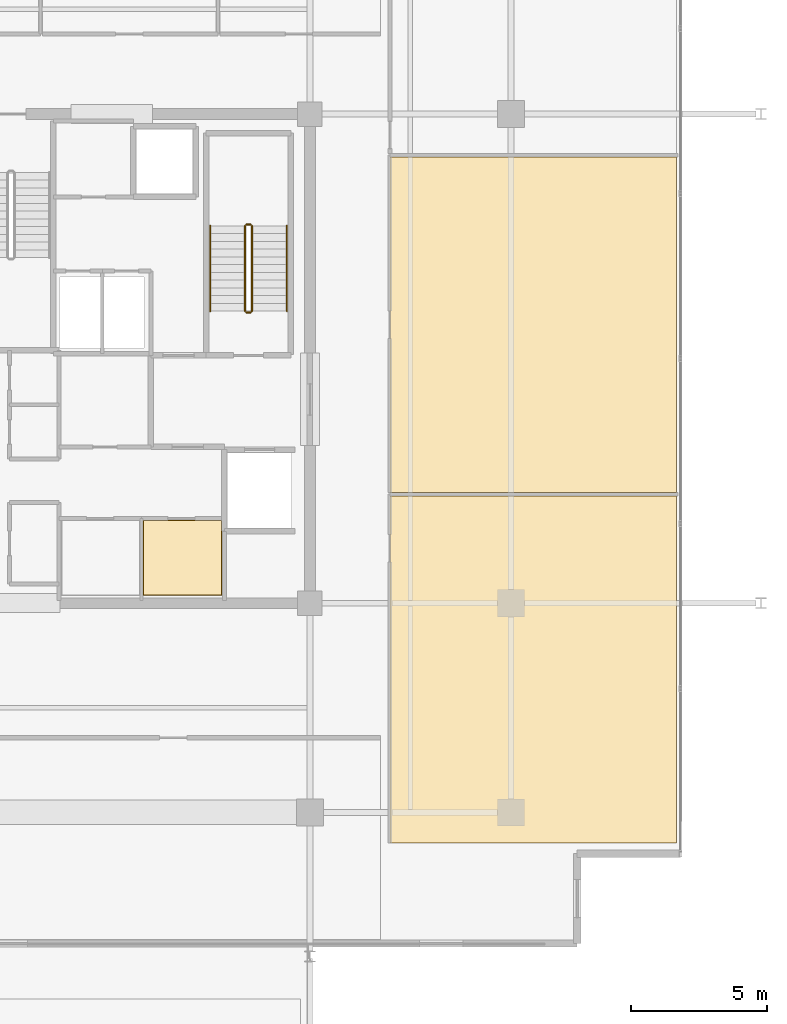
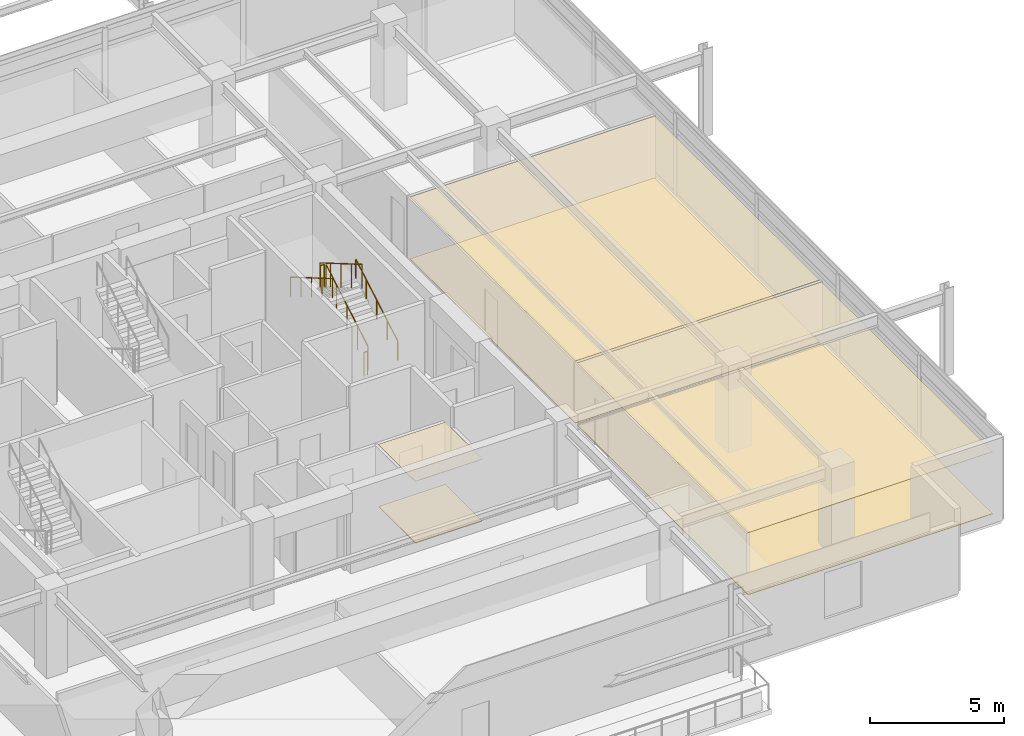
# One storey, part 20 of 21: 6 coverings, 6 railings.
"""IFC4 building model written with IfcOpenShell, lengths in metres."""

from ifc_helpers import new_model, si_unit, direction, frame, origin, origin_2d, place, context, subcontext, project, spatial, polyline, circle, outline, extrude, material, layer, layer_set, type_object, element, save


model = new_model("IFC4")

# Units and contexts
model_context = context("Model", 3, precision=1e-05, world=origin(), true_north=direction((0.0, 1.0)))
body_context = subcontext(model_context, "Body", "Model", "MODEL_VIEW")
ifc_project = project(units=[si_unit("LENGTHUNIT", "METRE"), si_unit("AREAUNIT", "SQUARE_METRE"), si_unit("VOLUMEUNIT", "CUBIC_METRE"), si_unit("PLANEANGLEUNIT", "RADIAN"), si_unit("MASSUNIT", "GRAM", prefix="KILO")], contexts=[model_context])

# Site, building, storey
site_placement = place(None, origin())
site = spatial("IfcSite", under=ifc_project, at=site_placement, CompositionType="ELEMENT")
building_placement = place(site_placement, origin())
building = spatial("IfcBuilding", under=site, at=building_placement, Name="Kovane Verandah Tower", CompositionType="ELEMENT")
storey_placement = place(building_placement, frame((0.0, 0.0, 314.800048828125)))
storey = spatial("IfcBuildingStorey", under=building, at=storey_placement, Name="L73", CompositionType="ELEMENT", Elevation=314.800048828125)

# Coverings
ifc_material_1 = material(Name="Perforated Acoustic Mineral-Fibre Ceiling Tile", Category="gypsum")
ifc_layer_1 = layer(ifc_material_1, 0.02490234375)
ifc_layer_set_1 = layer_set([ifc_layer_1], Name="Perforated Acoustic Mineral-Fibre Ceiling Tile")
covering_type_1 = type_object("IfcCoveringType", Name="CV-CEIL-25", PredefinedType="CEILING", material=ifc_layer_set_1)
covering_1_placement = place(storey_placement, frame((0.0, 0.0, 2.824951171875)))
element("IfcCovering", 1, at=covering_1_placement, inside=storey, type_object=covering_type_1, Name="L73 East IT Server Room Acoustic Ceiling", PredefinedType="CEILING", context=body_context, shape_type="SweptSolid", body=[
    extrude(outline(polyline([(44.864990234375, 18.784912109375), (47.764892578125, 18.784912109375), (47.764892578125, 21.56494140625), (44.864990234375, 21.56494140625), (44.864990234375, 18.784912109375)])), origin(), (0.0, 0.0, 1.0), 0.02490234375),
])
covering_2_placement = place(storey_placement, frame((0.0, 0.0, 2.824951171875)))
element("IfcCovering", 2, at=covering_2_placement, inside=storey, type_object=covering_type_1, Name="L73 Meeting Room E1 Acoustic Ceiling", PredefinedType="CEILING", context=body_context, shape_type="SweptSolid", body=[
    extrude(outline(polyline([(53.949951171875, 9.681884765625), (64.486328125, 9.681884765625), (64.486328125, 22.44091796875), (53.949951171875, 22.44091796875), (53.949951171875, 9.681884765625)])), origin(), (0.0, 0.0, 1.0), 0.02490234375),
])
covering_3_placement = place(storey_placement, frame((0.0, 0.0, 2.824951171875)))
element("IfcCovering", 3, at=covering_3_placement, inside=storey, type_object=covering_type_1, Name="L73 Focus Studio E2 Acoustic Ceiling", PredefinedType="CEILING", context=body_context, shape_type="SweptSolid", body=[
    extrude(outline(polyline([(53.949951171875, 22.580810546875), (64.486328125, 22.580810546875), (64.486328125, 34.91357421875), (53.949951171875, 34.91357421875), (53.949951171875, 22.580810546875)])), origin(), (0.0, 0.0, 1.0), 0.02490234375),
])
ifc_material_2 = material(Name="Polished Terrazzo and Raised-Access Carpet Tile Finish", Category="concrete")
ifc_layer_2 = layer(ifc_material_2, 0.030029296875)
ifc_layer_set_2 = layer_set([ifc_layer_2], Name="Polished Terrazzo and Raised-Access Carpet Tile Finish")
covering_type_2 = type_object("IfcCoveringType", Name="CV-FLOR-30", PredefinedType="FLOORING", material=ifc_layer_set_2)
covering_4_placement = place(storey_placement, origin())
element("IfcCovering", 4, at=covering_4_placement, inside=storey, type_object=covering_type_2, Name="L73 East IT Server Room Floor Finish", PredefinedType="FLOORING", context=body_context, shape_type="SweptSolid", body=[
    extrude(outline(polyline([(44.8798828125, 18.800048828125), (47.75, 18.800048828125), (47.75, 21.550048828125), (44.8798828125, 21.550048828125), (44.8798828125, 18.800048828125)])), origin(), (0.0, 0.0, 1.0), 0.030029296875),
])
covering_5_placement = place(storey_placement, origin())
element("IfcCovering", 5, at=covering_5_placement, inside=storey, type_object=covering_type_2, Name="L73 Meeting Room E1 Floor Finish", PredefinedType="FLOORING", context=body_context, shape_type="SweptSolid", body=[
    extrude(outline(polyline([(53.949951171875, 9.681884765625), (64.486328125, 9.681884765625), (64.486328125, 22.44091796875), (53.949951171875, 22.44091796875), (53.949951171875, 9.681884765625)])), origin(), (0.0, 0.0, 1.0), 0.030029296875),
])
covering_6_placement = place(storey_placement, origin())
element("IfcCovering", 6, at=covering_6_placement, inside=storey, type_object=covering_type_2, Name="L73 Focus Studio E2 Floor Finish", PredefinedType="FLOORING", context=body_context, shape_type="SweptSolid", body=[
    extrude(outline(polyline([(53.949951171875, 22.580810546875), (64.486328125, 22.580810546875), (64.486328125, 34.91357421875), (53.949951171875, 34.91357421875), (53.949951171875, 22.580810546875)])), origin(), (0.0, 0.0, 1.0), 0.030029296875),
])

# Railings
ifc_material_3 = material(Name="Brushed Stainless Steel Handrail", Category="steel")
railing_type_1 = type_object("IfcRailingType", Name="RL-HAND-920", PredefinedType="HANDRAIL", material=ifc_material_3)
railing_1_placement = place(storey_placement, frame((50.14990234375, 29.25, 0.16650390625)))
element("IfcRailing", 7, at=railing_1_placement, inside=storey, type_object=railing_type_1, Name="L73 ST-02 stair handrail 1", PredefinedType="HANDRAIL", context=body_context, shape_type="SweptSolid", body=[
    extrude(circle(Radius=0.02392578125, at=origin_2d()), frame((0.0, 0.0, 0.8759765625), z_axis=(0.0, 0.863210265497, 0.504844567704), x_axis=(-1.0, 0.0, 0.0)), (0.0, 0.0, 1.0), 3.6318359375),
    extrude(circle(Radius=0.02099609375, at=origin_2d()), origin(), (0.0, 0.0, 1.0), 0.851806640625),
    extrude(circle(Radius=0.02099609375, at=origin_2d()), frame((0.0, 0.78369140625, 0.45849609375)), (0.0, 0.0, 1.0), 0.851806640625),
    extrude(circle(Radius=0.02099609375, at=origin_2d()), frame((0.0, 1.5673828125, 0.916748046875)), (0.0, 0.0, 1.0), 0.851806640625),
    extrude(circle(Radius=0.02099609375, at=origin_2d()), frame((0.0, 2.351318359375, 1.375)), (0.0, 0.0, 1.0), 0.851806640625),
    extrude(circle(Radius=0.02099609375, at=origin_2d()), frame((0.0, 3.135009765625, 1.83349609375)), (0.0, 0.0, 1.0), 0.851806640625),
])
railing_2_placement = place(storey_placement, frame((47.330078125, 32.385009765625, 2.16650390625)))
element("IfcRailing", 8, at=railing_2_placement, inside=storey, type_object=railing_type_1, Name="L73 ST-02 stair handrail 2", PredefinedType="HANDRAIL", context=body_context, shape_type="SweptSolid", body=[
    extrude(circle(Radius=0.02392578125, at=origin_2d()), frame((0.0, 0.0, 0.8759765625), z_axis=(0.0, -0.863210265497, 0.504844567704), x_axis=(1.0, 0.0, 0.0)), (0.0, 0.0, 1.0), 3.6318359375),
    extrude(circle(Radius=0.02099609375, at=origin_2d()), origin(), (0.0, 0.0, 1.0), 0.851806640625),
    extrude(circle(Radius=0.02099609375, at=origin_2d()), frame((0.0, -0.78369140625, 0.45849609375)), (0.0, 0.0, 1.0), 0.851806640625),
    extrude(circle(Radius=0.02099609375, at=origin_2d()), frame((0.0, -1.5673828125, 0.916748046875)), (0.0, 0.0, 1.0), 0.851806640625),
    extrude(circle(Radius=0.02099609375, at=origin_2d()), frame((0.0, -2.351318359375, 1.375)), (0.0, 0.0, 1.0), 0.851806640625),
    extrude(circle(Radius=0.02099609375, at=origin_2d()), frame((0.0, -3.135009765625, 1.83349609375)), (0.0, 0.0, 1.0), 0.851806640625),
])
ifc_material_4 = material(Name="Painted Steel Stairwell Guardrail", Category="steel")
railing_type_2 = type_object("IfcRailingType", Name="RL-STGUARD-1120", PredefinedType="GUARDRAIL", material=ifc_material_4)
railing_3_placement = place(storey_placement, frame((48.8701171875, 29.25, 0.16650390625)))
element("IfcRailing", 9, at=railing_3_placement, inside=storey, type_object=railing_type_2, Name="L73 ST-02 stair guard 1", PredefinedType="GUARDRAIL", context=body_context, shape_type="SweptSolid", body=[
    extrude(circle(Radius=0.02392578125, at=origin_2d()), frame((0.0, 0.0, 1.076171875), z_axis=(0.0, 0.863210265497, 0.504844567704), x_axis=(-1.0, 0.0, 0.0)), (0.0, 0.0, 1.0), 3.6318359375),
    extrude(circle(Radius=0.02099609375, at=origin_2d()), origin(), (0.0, 0.0, 1.0), 1.052001953125),
    extrude(circle(Radius=0.02099609375, at=origin_2d()), frame((0.0, 0.78369140625, 0.45849609375)), (0.0, 0.0, 1.0), 1.052001953125),
    extrude(circle(Radius=0.02099609375, at=origin_2d()), frame((0.0, 1.5673828125, 0.916748046875)), (0.0, 0.0, 1.0), 1.052001953125),
    extrude(circle(Radius=0.02099609375, at=origin_2d()), frame((0.0, 2.351318359375, 1.375)), (0.0, 0.0, 1.0), 1.052001953125),
    extrude(circle(Radius=0.02099609375, at=origin_2d()), frame((0.0, 3.135009765625, 1.83349609375)), (0.0, 0.0, 1.0), 1.052001953125),
])
railing_4_placement = place(storey_placement, frame((48.820068359375, 32.43505859375, 2.0)))
element("IfcRailing", 10, at=railing_4_placement, inside=storey, type_object=railing_type_2, Name="L73 ST-02 stair guard 2", PredefinedType="GUARDRAIL", context=body_context, shape_type="SweptSolid", body=[
    extrude(circle(Radius=0.02392578125, at=origin_2d()), frame((0.0, 0.0, 1.076171875), z_axis=(-1.0, 0.0, 0.0), x_axis=(0.0, -1.0, 0.0)), (0.0, 0.0, 1.0), 0.16015625),
    extrude(circle(Radius=0.02099609375, at=origin_2d()), origin(), (0.0, 0.0, 1.0), 1.052001953125),
    extrude(circle(Radius=0.02099609375, at=origin_2d()), frame((-0.16015625, 0.0, 0.0)), (0.0, 0.0, 1.0), 1.052001953125),
])
railing_5_placement = place(storey_placement, frame((48.610107421875, 32.385009765625, 2.16650390625)))
element("IfcRailing", 11, at=railing_5_placement, inside=storey, type_object=railing_type_2, Name="L73 ST-02 stair guard 3", PredefinedType="GUARDRAIL", context=body_context, shape_type="SweptSolid", body=[
    extrude(circle(Radius=0.02392578125, at=origin_2d()), frame((0.0, 0.0, 1.076171875), z_axis=(0.0, -0.863210265497, 0.504844567704), x_axis=(1.0, 0.0, 0.0)), (0.0, 0.0, 1.0), 3.6318359375),
    extrude(circle(Radius=0.02099609375, at=origin_2d()), origin(), (0.0, 0.0, 1.0), 1.052001953125),
    extrude(circle(Radius=0.02099609375, at=origin_2d()), frame((0.0, -0.78369140625, 0.45849609375)), (0.0, 0.0, 1.0), 1.052001953125),
    extrude(circle(Radius=0.02099609375, at=origin_2d()), frame((0.0, -1.5673828125, 0.916748046875)), (0.0, 0.0, 1.0), 1.052001953125),
    extrude(circle(Radius=0.02099609375, at=origin_2d()), frame((0.0, -2.351318359375, 1.375)), (0.0, 0.0, 1.0), 1.052001953125),
    extrude(circle(Radius=0.02099609375, at=origin_2d()), frame((0.0, -3.135009765625, 1.83349609375)), (0.0, 0.0, 1.0), 1.052001953125),
])
railing_6_placement = place(storey_placement, frame((48.820068359375, 29.199951171875, 0.0)))
element("IfcRailing", 12, at=railing_6_placement, inside=storey, type_object=railing_type_2, Name="L73 ST-02 stair guard 4", PredefinedType="GUARDRAIL", context=body_context, shape_type="SweptSolid", body=[
    extrude(circle(Radius=0.02392578125, at=origin_2d()), frame((0.0, 0.0, 1.076171875), z_axis=(-1.0, 0.0, 0.0), x_axis=(0.0, -1.0, 0.0)), (0.0, 0.0, 1.0), 0.16015625),
    extrude(circle(Radius=0.02099609375, at=origin_2d()), origin(), (0.0, 0.0, 1.0), 1.052001953125),
    extrude(circle(Radius=0.02099609375, at=origin_2d()), frame((-0.16015625, 0.0, 0.0)), (0.0, 0.0, 1.0), 1.052001953125),
])

save(model, "model.ifc")
